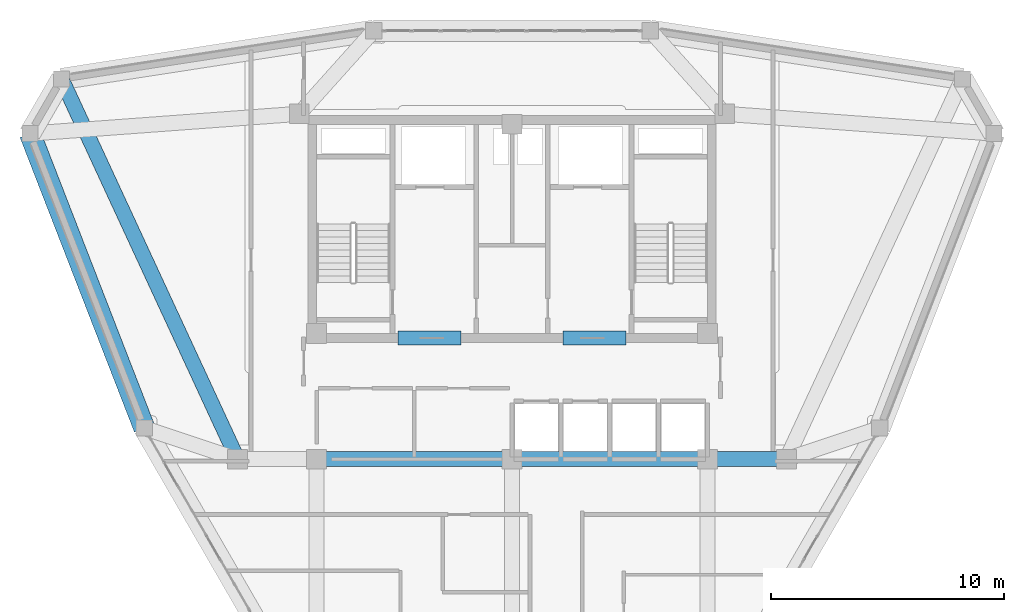
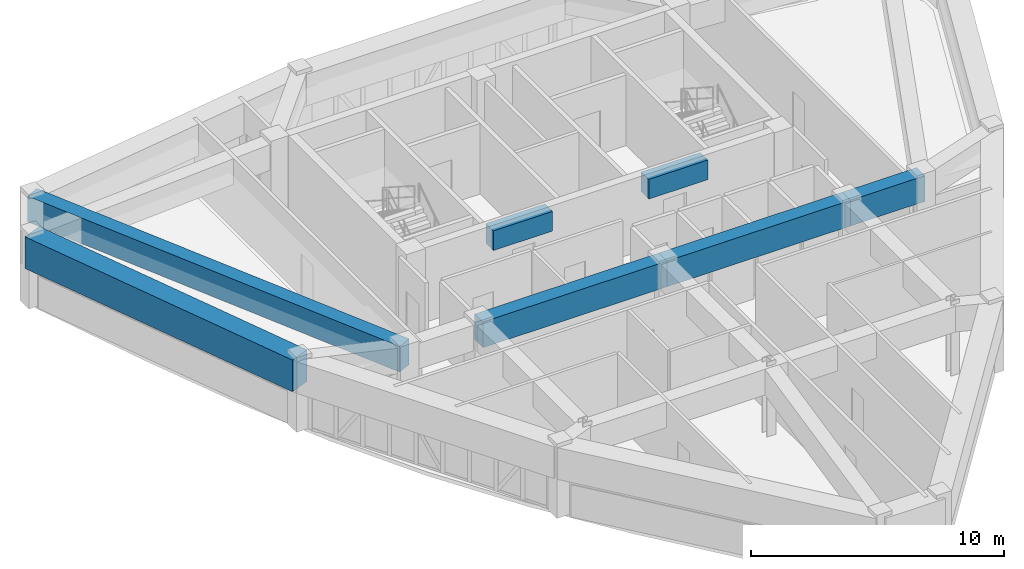
# One storey, part 6 of 14: 7 beams.
"""IFC4 building model written with IfcOpenShell, lengths in metres."""

from ifc_helpers import new_model, si_unit, derived_unit, direction, frame, origin, origin_2d, place, context, subcontext, project, spatial, rectangle, extrude, source, transform, mapped, material, material_profile, profile_set, type_object, element, save


model = new_model("IFC4")

# Units and contexts
model_context = context("Model", 3, precision=1e-05, world=origin(), true_north=direction((0.0, 1.0)))
body_context = subcontext(model_context, "Body", "Model", "MODEL_VIEW")
ifc_project = project(units=[si_unit("LENGTHUNIT", "METRE"), si_unit("AREAUNIT", "SQUARE_METRE"), si_unit("VOLUMEUNIT", "CUBIC_METRE"), si_unit("PLANEANGLEUNIT", "RADIAN"), si_unit("MASSUNIT", "GRAM", prefix="KILO"), derived_unit("THERMALTRANSMITTANCEUNIT", [(si_unit("POWERUNIT", "WATT"), 1), (si_unit("LENGTHUNIT", "METRE"), -2), (si_unit("THERMODYNAMICTEMPERATUREUNIT", "KELVIN"), -1)])], contexts=[model_context])

# Site, building, storey
site_placement = place(None, origin())
site = spatial("IfcSite", under=ifc_project, at=site_placement, CompositionType="ELEMENT")
building_placement = place(site_placement, origin())
building = spatial("IfcBuilding", under=site, at=building_placement, Name="Korsvarv Bourse and Concert Hall", CompositionType="ELEMENT")
storey_placement = place(building_placement, frame((0.0, 0.0, 257.39990234375)))
storey = spatial("IfcBuildingStorey", under=building, at=storey_placement, Name="L67", CompositionType="ELEMENT", Elevation=257.39990234375)

# Beams
ifc_material_1 = material(Name="Concrete C55/67", Category="concrete")
ifc_material_profile_1 = material_profile(ifc_material_1, rectangle(XDim=0.60009765625, YDim=0.949951171875, at=origin_2d()), Name="RC-BM 600x950")
ifc_profile_set_1 = profile_set([ifc_material_profile_1], Name="Concrete C55/67")
beam_type_1 = type_object("IfcBeamType", Name="BM-CPL", PredefinedType="LINTEL", material=ifc_profile_set_1)
shared_shape_1 = source(origin(), body_context, "Body", "SweptSolid", [
    extrude(rectangle(XDim=0.60009765625, YDim=0.949951171875, at=origin_2d()), origin(), (0.0, 0.0, 1.0), 2.699951171875),
])
for number, where, z_axis, x_axis, name in (
    (1, (31.10009765625, 37.610107421875, 2.93505859375), (1.0, 0.0, 0.0), (0.0, 1.0, 0.0), "L67 Core Coupling Beam West"),
    (2, (38.199951171875, 37.610107421875, 2.93505859375), (1.0, 0.0, 0.0), (0.0, 1.0, 0.0), "L67 Core Coupling Beam East"),
):
    element("IfcBeam", number, at=place(storey_placement, frame(where, z_axis=z_axis, x_axis=x_axis)), inside=storey, type_object=beam_type_1, Name=name, PredefinedType="LINTEL", context=body_context, shape_type="MappedRepresentation", body=[
        mapped(shared_shape_1, transform((0.0, 0.0, 0.0), scale=1.0)),
    ])
ifc_material_2 = material(Name="Concrete C50/60", Category="concrete")
ifc_material_profile_2 = material_profile(ifc_material_2, rectangle(XDim=0.64990234375, YDim=1.239990234375, at=origin_2d()), Name="RC-BM 650x1240")
ifc_profile_set_2 = profile_set([ifc_material_profile_2], Name="Concrete C50/60")
beam_type_2 = type_object("IfcBeamType", Name="BM-TR-SPN", PredefinedType="BEAM", material=ifc_profile_set_2)
shared_shape_2 = source(origin(), body_context, "Body", "SweptSolid", [
    extrude(rectangle(XDim=0.64990234375, YDim=1.239990234375, at=origin_2d()), origin(), (0.0, 0.0, 1.0), 3.400146484375),
])
beam_1_placement = place(storey_placement, frame((44.39990234375, 32.39990234375, 2.7900390625), z_axis=(1.0, 0.0, 0.0), x_axis=(0.0, 1.0, 0.0)))
element("IfcBeam", 3, at=beam_1_placement, inside=storey, type_object=beam_type_2, Name="L67 beam B-TRS", PredefinedType="BEAM", context=body_context, shape_type="MappedRepresentation", body=[
    mapped(shared_shape_2, transform((0.0, 0.0, 0.0), scale=1.0)),
])
shared_shape_3 = source(origin(), body_context, "Body", "SweptSolid", [
    extrude(rectangle(XDim=0.64990234375, YDim=1.239990234375, at=origin_2d()), origin(), (0.0, 0.0, 1.0), 8.39990234375),
])
for number, where, z_axis, x_axis, name in (
    (4, (27.60009765625, 32.39990234375, 2.7900390625), (1.0, 0.0, 0.0), (0.0, 1.0, 0.0), "L67 beam B-TRS"),
    (5, (36.0, 32.39990234375, 2.7900390625), (1.0, 0.0, 0.0), (0.0, 1.0, 0.0), "L67 beam B-TRS"),
):
    element("IfcBeam", number, at=place(storey_placement, frame(where, z_axis=z_axis, x_axis=x_axis)), inside=storey, type_object=beam_type_2, Name=name, PredefinedType="BEAM", context=body_context, shape_type="MappedRepresentation", body=[
        mapped(shared_shape_3, transform((0.0, 0.0, 0.0), scale=1.0)),
    ])
ifc_material_profile_3 = material_profile(ifc_material_2, rectangle(XDim=0.919921875, YDim=1.530029296875, at=origin_2d()), Name="RC-BM 920x1530")
ifc_profile_set_3 = profile_set([ifc_material_profile_3], Name="Concrete C50/60")
beam_type_3 = type_object("IfcBeamType", Name="BM-TR-154", PredefinedType="BEAM", material=ifc_profile_set_3)
shared_shape_4 = source(origin(), body_context, "Body", "SweptSolid", [
    extrude(rectangle(XDim=0.919921875, YDim=1.530029296875, at=origin_2d()), origin(), (0.0, 0.0, 1.0), 13.58203125),
])
beam_2_placement = place(storey_placement, frame((15.27490234375, 46.399169921875, 2.64501953125), z_axis=(0.361897107662, -0.932218045023, 0.0), x_axis=(0.932218045023, 0.361897107662, 0.0)))
element("IfcBeam", 6, at=beam_2_placement, inside=storey, type_object=beam_type_3, Name="L67 beam B-TR6", PredefinedType="BEAM", context=body_context, shape_type="MappedRepresentation", body=[
    mapped(shared_shape_4, transform((0.0, 0.0, 0.0), scale=1.0)),
])
shared_shape_5 = source(origin(), body_context, "Body", "SweptSolid", [
    extrude(rectangle(XDim=0.64990234375, YDim=1.239990234375, at=origin_2d()), origin(), (0.0, 0.0, 1.0), 18.015869140625),
])
beam_3_placement = place(storey_placement, frame((16.631591796875, 48.7490234375, 2.7900390625), z_axis=(0.420092569243, -0.907481257805, 0.0), x_axis=(0.907481257805, 0.420092569243, 0.0)))
element("IfcBeam", 7, at=beam_3_placement, inside=storey, type_object=beam_type_2, Name="L67 beam B-TRS", PredefinedType="BEAM", context=body_context, shape_type="MappedRepresentation", body=[
    mapped(shared_shape_5, transform((0.0, 0.0, 0.0), scale=1.0)),
])

save(model, "model.ifc")
